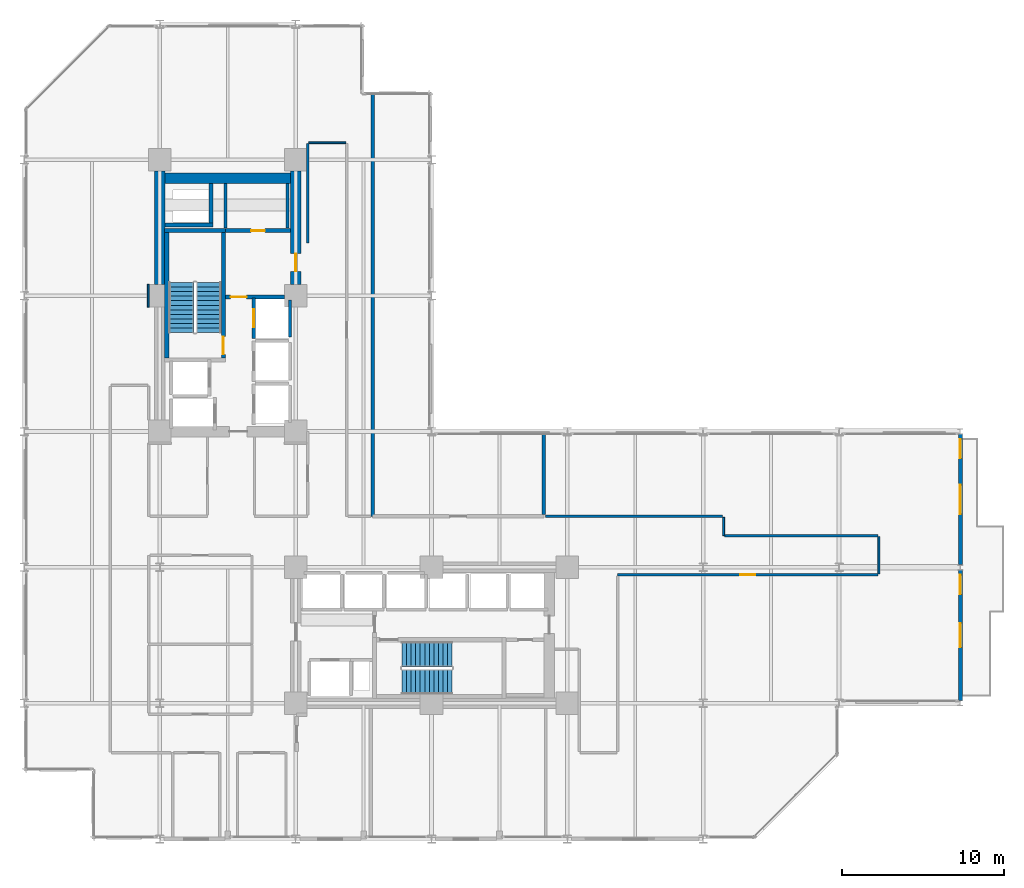
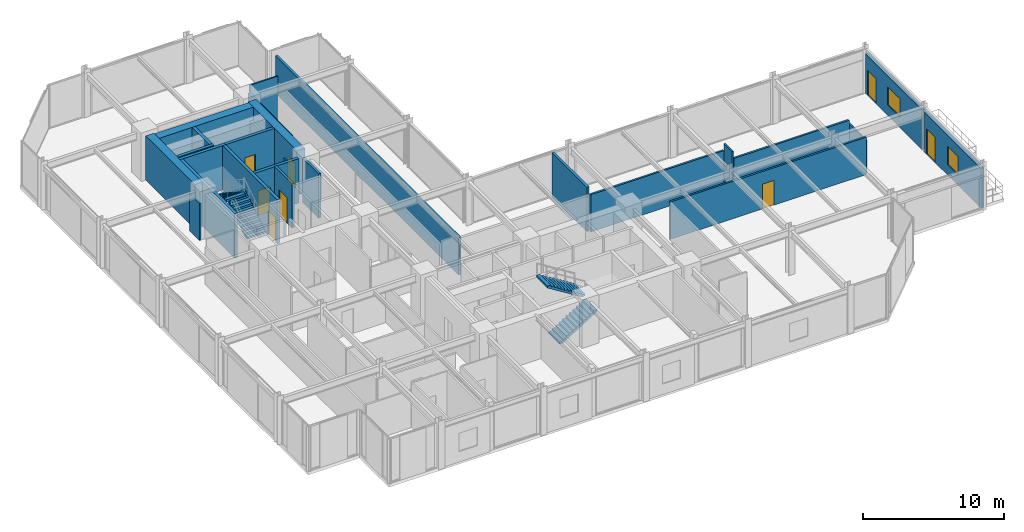
# One storey, part 23 of 26: 26 walls, 8 doors, 4 stair flights, 2 windows, 10 openings, 2 elements without a shape of their own.
"""IFC4 building model written with IfcOpenShell, lengths in metres."""

from ifc_helpers import new_model, si_unit, direction, frame, frame_2d, origin, place, context, subcontext, project, spatial, polyline, rectangle, outline, extrude, material, layer, layer_set, type_object, element, fill, aggregate, save


model = new_model("IFC4")

# Units and contexts
model_context = context("Model", 3, precision=1e-05, world=origin(), true_north=direction((0.0, 1.0)))
body_context = subcontext(model_context, "Body", "Model", "MODEL_VIEW")
ifc_project = project(units=[si_unit("LENGTHUNIT", "METRE"), si_unit("AREAUNIT", "SQUARE_METRE"), si_unit("VOLUMEUNIT", "CUBIC_METRE"), si_unit("PLANEANGLEUNIT", "RADIAN"), si_unit("MASSUNIT", "GRAM", prefix="KILO")], contexts=[model_context])

# Site, building, storey
site_placement = place(None, origin())
site = spatial("IfcSite", under=ifc_project, at=site_placement, CompositionType="ELEMENT")
building_placement = place(site_placement, origin())
building = spatial("IfcBuilding", under=site, at=building_placement, Name="Nerrivon Quay Data Exchange", CompositionType="ELEMENT")
storey_placement = place(building_placement, frame((0.0, 0.0, 75.199951171875)))
storey = spatial("IfcBuildingStorey", under=building, at=storey_placement, Name="L17", CompositionType="ELEMENT", Elevation=75.199951171875)

# Wall, openings, door, window
ifc_material_1 = material(Name="Architectural terracotta precast concrete N50 (50 MPa)", Category="masonry")
ifc_layer_1 = layer(ifc_material_1, 0.239990234375)
ifc_layer_set_1 = layer_set([ifc_layer_1], Name="Architectural terracotta precast concrete N50 (50 MPa)")
wall_type_1 = type_object("IfcWallType", Name="EW-PREC-240", PredefinedType="STANDARD", material=ifc_layer_set_1)
wall_1_placement = place(storey_placement, frame((57.89990234375, 25.03662109375, 0.0), z_axis=(0.0, 0.0, 1.0), x_axis=(0.0, -1.0, 0.0)))
wall_1 = element("IfcWall", 1, at=wall_1_placement, inside=storey, type_object=wall_type_1, Name="L17 Terrace Host Wall 1", PredefinedType="STANDARD", context=body_context, shape_type="SweptSolid", body=[
    extrude(rectangle(XDim=8.0732421875, YDim=0.239990234375, at=frame_2d((4.03662109375, 0.0))), origin(), (0.0, 0.0, 1.0), 3.447021484375),
])
opening_1_placement = place(wall_1_placement, frame((0.300048828125, 0.0, 0.0)))
opening_1 = element("IfcOpeningElement", 2, at=opening_1_placement, cuts=wall_1, Name="Opening TD1", PredefinedType="OPENING", context=body_context, shape_type="SweptSolid", body=[
    extrude(rectangle(XDim=1.199951171875, YDim=2.199951171875, at=frame_2d((0.60009765625, 1.10009765625))), frame((0.0, 0.1298828125, 0.0), z_axis=(0.0, -1.0, 0.0), x_axis=(1.0, 0.0, 0.0)), (0.0, 0.0, 1.0), 0.260009765625),
])
opening_2_placement = place(wall_1_placement, frame((3.136474609375, 0.0, 0.89990234375)))
opening_2 = element("IfcOpeningElement", 3, at=opening_2_placement, cuts=wall_1, Name="Opening WN2", PredefinedType="OPENING", context=body_context, shape_type="SweptSolid", body=[
    extrude(rectangle(XDim=1.800048828125, YDim=1.60009765625, at=frame_2d((0.89990234375, 0.800048828125))), frame((0.0, 0.1298828125, 0.0), z_axis=(0.0, -1.0, 0.0), x_axis=(1.0, 0.0, 0.0)), (0.0, 0.0, 1.0), 0.260009765625),
])
ifc_material_2 = material(Name="Double-glazed low-E solar control glass", Category="glass")
door_type_1 = type_object("IfcDoorType", Name="DR-TERR-1200x2200", OperationType="NOTDEFINED", PredefinedType="DOOR", material=ifc_material_2)
door_1_placement = place(opening_1_placement, origin())
door_1 = element("IfcDoor", 4, at=door_1_placement, inside=storey, type_object=door_type_1, Name="L17 Outdoor Terrace Access Door 1", OperationType="SINGLE_SWING_RIGHT", OverallHeight=2.199951171875, OverallWidth=1.199951171875, PredefinedType="DOOR", context=body_context, shape_type="SweptSolid", body=[
    extrude(rectangle(XDim=1.199951171875, YDim=2.199951171875, at=frame_2d((0.60009765625, 1.10009765625))), frame((0.0, 0.02490234375, 0.0), z_axis=(0.0, -1.0, 0.0), x_axis=(1.0, 0.0, 0.0)), (0.0, 0.0, 1.0), 0.050048828125),
])
fill(opening_1, door_1)
window_type_1 = type_object("IfcWindowType", Name="WIN-W2-1800x1600", PartitioningType="SINGLE_PANEL", PredefinedType="WINDOW", material=ifc_material_2)
window_1_placement = place(opening_2_placement, origin())
window_1 = element("IfcWindow", 5, at=window_1_placement, inside=storey, type_object=window_type_1, Name="L17 Terrace Side Window 1", OverallHeight=1.60009765625, OverallWidth=1.800048828125, PartitioningType="SINGLE_PANEL", PredefinedType="WINDOW", context=body_context, shape_type="SweptSolid", body=[
    extrude(rectangle(XDim=1.800048828125, YDim=1.60009765625, at=frame_2d((0.89990234375, 0.800048828125))), frame((0.0, 0.030029296875, 0.0), z_axis=(0.0, -1.0, 0.0), x_axis=(1.0, 0.0, 0.0)), (0.0, 0.0, 1.0), 0.06005859375),
])
fill(opening_2, window_1)

wall_2_placement = place(storey_placement, frame((57.89990234375, 16.636474609375, 0.0), z_axis=(0.0, 0.0, 1.0), x_axis=(0.0, -1.0, 0.0)))
wall_2 = element("IfcWall", 6, at=wall_2_placement, inside=storey, type_object=wall_type_1, Name="L17 Terrace Host Wall 2", PredefinedType="STANDARD", context=body_context, shape_type="SweptSolid", body=[
    extrude(rectangle(XDim=8.072998046875, YDim=0.239990234375, at=frame_2d((4.03662109375, 0.0))), origin(), (0.0, 0.0, 1.0), 3.447021484375),
])
opening_3_placement = place(wall_2_placement, frame((0.300048828125, 0.0, 0.0)))
opening_3 = element("IfcOpeningElement", 7, at=opening_3_placement, cuts=wall_2, Name="Opening TD1", PredefinedType="OPENING", context=body_context, shape_type="SweptSolid", body=[
    extrude(rectangle(XDim=1.199951171875, YDim=2.199951171875, at=frame_2d((0.60009765625, 1.10009765625))), frame((0.0, 0.1298828125, 0.0), z_axis=(0.0, -1.0, 0.0), x_axis=(1.0, 0.0, 0.0)), (0.0, 0.0, 1.0), 0.260009765625),
])
opening_4_placement = place(wall_2_placement, frame((3.28662109375, 0.0, 0.89990234375)))
opening_4 = element("IfcOpeningElement", 8, at=opening_4_placement, cuts=wall_2, Name="Opening WN4", PredefinedType="OPENING", context=body_context, shape_type="SweptSolid", body=[
    extrude(rectangle(XDim=1.5, YDim=1.60009765625, at=frame_2d((0.75, 0.800048828125))), frame((0.0, 0.1298828125, 0.0), z_axis=(0.0, -1.0, 0.0), x_axis=(1.0, 0.0, 0.0)), (0.0, 0.0, 1.0), 0.260009765625),
])
door_2_placement = place(opening_3_placement, origin())
door_2 = element("IfcDoor", 9, at=door_2_placement, inside=storey, type_object=door_type_1, Name="L17 Outdoor Terrace Access Door 2", OperationType="SINGLE_SWING_LEFT", OverallHeight=2.199951171875, OverallWidth=1.199951171875, PredefinedType="DOOR", context=body_context, shape_type="SweptSolid", body=[
    extrude(rectangle(XDim=1.199951171875, YDim=2.199951171875, at=frame_2d((0.60009765625, 1.10009765625))), frame((0.0, 0.02490234375, 0.0), z_axis=(0.0, -1.0, 0.0), x_axis=(1.0, 0.0, 0.0)), (0.0, 0.0, 1.0), 0.050048828125),
])
fill(opening_3, door_2)
window_type_2 = type_object("IfcWindowType", Name="WIN-W4-1500x1600", PartitioningType="SINGLE_PANEL", PredefinedType="WINDOW", material=ifc_material_2)
window_2_placement = place(opening_4_placement, origin())
window_2 = element("IfcWindow", 10, at=window_2_placement, inside=storey, type_object=window_type_2, Name="L17 Terrace Side Window 2", OverallHeight=1.60009765625, OverallWidth=1.5, PartitioningType="SINGLE_PANEL", PredefinedType="WINDOW", context=body_context, shape_type="SweptSolid", body=[
    extrude(rectangle(XDim=1.5, YDim=1.60009765625, at=frame_2d((0.75, 0.800048828125))), frame((0.0, 0.030029296875, 0.0), z_axis=(0.0, -1.0, 0.0), x_axis=(1.0, 0.0, 0.0)), (0.0, 0.0, 1.0), 0.06005859375),
])
fill(opening_4, window_2)

# Walls
ifc_material_3 = material(Name="Concrete N80 (80 MPa)", Category="concrete")
ifc_layer_2 = layer(ifc_material_3, 0.64990234375)
ifc_layer_set_2 = layer_set([ifc_layer_2], Name="Concrete N80 (80 MPa)")
wall_type_2 = type_object("IfcWallType", Name="WALL-CW-850", PredefinedType="SHEAR", material=ifc_layer_set_2)
wall_3_placement = place(storey_placement, frame((8.39990234375, 34.300048828125, 0.0), z_axis=(0.0, 0.0, 1.0), x_axis=(0.0, 1.0, 0.0)))
element("IfcWall", 11, at=wall_3_placement, inside=storey, type_object=wall_type_2, Name="L17 West Split-Core Shear Wall WCW-W2", PredefinedType="SHEAR", context=body_context, shape_type="SweptSolid", body=[
    extrude(rectangle(XDim=7.0, YDim=0.64990234375, at=frame_2d((3.5, 0.0))), origin(), (0.0, 0.0, 1.0), 3.85009765625),
])
wall_4_placement = place(storey_placement, frame((8.72509765625, 40.875, 0.0), z_axis=(0.0, 0.0, 1.0), x_axis=(1.0, 0.0, 0.0)))
element("IfcWall", 12, at=wall_4_placement, inside=storey, type_object=wall_type_2, Name="L17 West Split-Core Shear Wall WCW-N1", PredefinedType="SHEAR", context=body_context, shape_type="SweptSolid", body=[
    extrude(rectangle(XDim=7.75, YDim=0.64990234375, at=frame_2d((3.875, 0.0))), origin(), (0.0, 0.0, 1.0), 3.85009765625),
])

# Wall, opening, door
wall_5_placement = place(storey_placement, frame((16.800048828125, 34.300048828125, 0.0), z_axis=(0.0, 0.0, 1.0), x_axis=(0.0, 1.0, 0.0)))
wall_5 = element("IfcWall", 13, at=wall_5_placement, inside=storey, type_object=wall_type_2, Name="L17 West Split-Core Shear Wall WCW-E1", PredefinedType="SHEAR", context=body_context, shape_type="SweptSolid", body=[
    extrude(rectangle(XDim=7.0, YDim=0.64990234375, at=frame_2d((3.5, 0.0))), origin(), (0.0, 0.0, 1.0), 3.85009765625),
])
opening_5_placement = place(wall_5_placement, frame((0.800048828125, 0.0, 0.0)))
opening_5 = element("IfcOpeningElement", 14, at=opening_5_placement, cuts=wall_5, Name="Opening FD-120", PredefinedType="OPENING", context=body_context, shape_type="SweptSolid", body=[
    extrude(rectangle(XDim=1.10009765625, YDim=2.14990234375, at=frame_2d((0.550048828125, 1.074951171875))), frame((0.0, 0.3349609375, 0.0), z_axis=(0.0, -1.0, 0.0), x_axis=(1.0, 0.0, 0.0)), (0.0, 0.0, 1.0), 0.669921875),
])
ifc_material_4 = material(Name="Powder-coated galvanized steel sheet", Category="steel")
door_type_2 = type_object("IfcDoorType", Name="DR-FD120-1100", OperationType="NOTDEFINED", PredefinedType="DOOR", material=ifc_material_4)
door_3_placement = place(opening_5_placement, origin())
door_3 = element("IfcDoor", 15, at=door_3_placement, inside=storey, type_object=door_type_2, Name="L17 West Core Lobby Fire Door", OperationType="SINGLE_SWING_RIGHT", OverallHeight=2.14990234375, OverallWidth=1.10009765625, PredefinedType="DOOR", context=body_context, shape_type="SweptSolid", body=[
    extrude(rectangle(XDim=1.10009765625, YDim=2.14990234375, at=frame_2d((0.550048828125, 1.074951171875))), frame((0.0, 0.02490234375, 0.0), z_axis=(0.0, -1.0, 0.0), x_axis=(1.0, 0.0, 0.0)), (0.0, 0.0, 1.0), 0.050048828125),
])
fill(opening_5, door_3)

ifc_material_5 = material(Name="Gypsum plasterboard on cold-formed framing", Category="gypsum")
ifc_layer_3 = layer(ifc_material_5, 0.199951171875)
ifc_layer_set_3 = layer_set([ifc_layer_3], Name="Gypsum plasterboard on cold-formed framing")
wall_type_3 = type_object("IfcWallType", Name="WALL-FW-200", PredefinedType="PARTITIONING", material=ifc_layer_set_3)
wall_6_placement = place(storey_placement, frame((14.199951171875, 30.949951171875, 0.0), z_axis=(0.0, 0.0, 1.0), x_axis=(0.0, 1.0, 0.0)))
wall_6 = element("IfcWall", 16, at=wall_6_placement, inside=storey, type_object=wall_type_3, Name="L17 Lift Front Wall PL3", PredefinedType="PARTITIONING", context=body_context, shape_type="SweptSolid", body=[
    extrude(rectangle(XDim=2.5, YDim=0.199951171875, at=frame_2d((1.25, 0.0))), origin(), (0.0, 0.0, 1.0), 3.85009765625),
])
opening_6_placement = place(wall_6_placement, frame((0.699951171875, 0.0, 0.0)))
opening_6 = element("IfcOpeningElement", 17, at=opening_6_placement, cuts=wall_6, Name="Opening LD-120", PredefinedType="OPENING", context=body_context, shape_type="SweptSolid", body=[
    extrude(rectangle(XDim=1.10009765625, YDim=2.199951171875, at=frame_2d((0.550048828125, 1.10009765625))), frame((0.0, 0.10986328125, 0.0), z_axis=(0.0, -1.0, 0.0), x_axis=(1.0, 0.0, 0.0)), (0.0, 0.0, 1.0), 0.219970703125),
])
door_type_3 = type_object("IfcDoorType", Name="DR-LIFT-LD120", OperationType="DOUBLE_DOOR_SLIDING", PredefinedType="DOOR", material=ifc_material_4)
door_4_placement = place(opening_6_placement, origin())
door_4 = element("IfcDoor", 18, at=door_4_placement, inside=storey, type_object=door_type_3, Name="L17 Lift Landing Sliding Door PL3", OperationType="DOUBLE_DOOR_SLIDING", OverallHeight=2.199951171875, OverallWidth=1.10009765625, PredefinedType="DOOR", context=body_context, shape_type="SweptSolid", body=[
    extrude(rectangle(XDim=1.10009765625, YDim=2.199951171875, at=frame_2d((0.550048828125, 1.10009765625))), frame((0.0, 0.02490234375, 0.0), z_axis=(0.0, -1.0, 0.0), x_axis=(1.0, 0.0, 0.0)), (0.0, 0.0, 1.0), 0.050048828125),
])
fill(opening_6, door_4)

# Walls
wall_7_placement = place(storey_placement, frame((16.449951171875, 31.050048828125, 0.0), z_axis=(0.0, 0.0, 1.0), x_axis=(0.0, 1.0, 0.0)))
element("IfcWall", 19, at=wall_7_placement, inside=storey, type_object=wall_type_3, Name="L17 Lift Shaft Wall PL3 EAST", PredefinedType="PARTITIONING", context=body_context, shape_type="SweptSolid", body=[
    extrude(rectangle(XDim=2.300048828125, YDim=0.199951171875, at=frame_2d((1.14990234375, 0.0))), origin(), (0.0, 0.0, 1.0), 3.85009765625),
])
for number, where, z_axis, x_axis, name in (
    (20, (16.300048828125, 37.780029296875, 0.0), (0.0, 0.0, 1.0), (0.0, 1.0, 0.0), "L17 Partition Cleaners Store"),
    (21, (12.449951171875, 40.5458984375, 0.0), (0.0, 0.0, 1.0), (0.0, -1.0, 0.0), "L17 Partition Cleaners Store"),
):
    element("IfcWall", number, at=place(storey_placement, frame(where, z_axis=z_axis, x_axis=x_axis)), inside=storey, type_object=wall_type_3, Name=name, PredefinedType="PARTITIONING", context=body_context, shape_type="SweptSolid", body=[
        extrude(rectangle(XDim=2.765869140625, YDim=0.199951171875, at=frame_2d((1.3828125, 0.0))), origin(), (0.0, 0.0, 1.0), 2.75),
    ])
wall_8_placement = place(storey_placement, frame((21.556884765625, 46.031005859375, 0.0), z_axis=(0.0, 0.0, 1.0), x_axis=(0.0, -1.0, 0.0)))
element("IfcWall", 22, at=wall_8_placement, inside=storey, type_object=wall_type_3, Name="L17 Partition Colocation Data Workspace 2", PredefinedType="PARTITIONING", context=body_context, shape_type="SweptSolid", body=[
    extrude(rectangle(XDim=26.071044921875, YDim=0.199951171875, at=frame_2d((13.03564453125, 0.0))), origin(), (0.0, 0.0, 1.0), 3.238037109375),
])
wall_9_placement = place(storey_placement, frame((32.139892578125, 20.06396484375, 0.0), z_axis=(0.0, 0.0, 1.0), x_axis=(0.0, 1.0, 0.0)))
element("IfcWall", 23, at=wall_9_placement, inside=storey, type_object=wall_type_3, Name="L17 Partition Colocation Data Workspace 2", PredefinedType="PARTITIONING", context=body_context, shape_type="SweptSolid", body=[
    extrude(rectangle(XDim=4.967041015625, YDim=0.199951171875, at=frame_2d((2.4833984375, 0.0))), origin(), (0.0, 0.0, 1.0), 3.85009765625),
])
ifc_layer_4 = layer(ifc_material_5, 0.1201171875)
ifc_layer_set_4 = layer_set([ifc_layer_4], Name="Gypsum plasterboard on cold-formed framing")
wall_type_4 = type_object("IfcWallType", Name="WALL-PT-120", PredefinedType="PARTITIONING", material=ifc_layer_set_4)
wall_10_placement = place(storey_placement, frame((43.260009765625, 19.89990234375, 0.0), z_axis=(0.0, 0.0, 1.0), x_axis=(0.0, -1.0, 0.0)))
element("IfcWall", 24, at=wall_10_placement, inside=storey, type_object=wall_type_4, Name="L17 Partition Network Operations Office 1", PredefinedType="PARTITIONING", context=body_context, shape_type="SweptSolid", body=[
    extrude(rectangle(XDim=1.139892578125, YDim=0.1201171875, at=frame_2d((0.56982421875, 0.0))), origin(), (0.0, 0.0, 1.0), 3.85009765625),
])
wall_11_placement = place(storey_placement, frame((52.860107421875, 18.699951171875, 0.0), z_axis=(0.0, 0.0, 1.0), x_axis=(0.0, -1.0, 0.0)))
element("IfcWall", 25, at=wall_11_placement, inside=storey, type_object=wall_type_4, Name="L17 Partition Network Operations Office 1", PredefinedType="PARTITIONING", context=body_context, shape_type="SweptSolid", body=[
    extrude(rectangle(XDim=2.300048828125, YDim=0.1201171875, at=frame_2d((1.14990234375, 0.0))), origin(), (0.0, 0.0, 1.0), 2.93994140625),
])
wall_12_placement = place(storey_placement, frame((7.680908203125, 32.894287109375, 0.0), z_axis=(0.0, 0.0, 1.0), x_axis=(-0.000694685487, 0.999999758706, 0.0)))
element("IfcWall", 26, at=wall_12_placement, inside=storey, type_object=wall_type_4, Name="L17 Partition Optical Engineering Studios Workspace", PredefinedType="PARTITIONING", context=body_context, shape_type="SweptSolid", body=[
    extrude(rectangle(XDim=1.40576171875, YDim=0.1201171875, at=frame_2d((0.702880859375, 0.0))), origin(), (0.0, 0.0, 1.0), 3.238037109375),
])
wall_13_placement = place(storey_placement, frame((17.60009765625, 43.06005859375, 0.0), z_axis=(0.0, 0.0, 1.0), x_axis=(1.0, 0.0, 0.0)))
element("IfcWall", 27, at=wall_13_placement, inside=storey, type_object=wall_type_4, Name="L17 Partition Optical Engineering Studios Workspace", PredefinedType="PARTITIONING", context=body_context, shape_type="SweptSolid", body=[
    extrude(rectangle(XDim=2.2998046875, YDim=0.1201171875, at=frame_2d((1.14990234375, 0.0))), origin(), (0.0, 0.0, 1.0), 3.85009765625),
])
ifc_layer_5 = layer(ifc_material_5, 0.14990234375)
ifc_layer_set_5 = layer_set([ifc_layer_5], Name="Gypsum plasterboard on cold-formed framing")
wall_type_5 = type_object("IfcWallType", Name="WALL-PT-150", PredefinedType="PARTITIONING", material=ifc_layer_set_5)
wall_14_placement = place(storey_placement, frame((32.260009765625, 19.9599609375, 0.0), z_axis=(0.0, 0.0, 1.0), x_axis=(0.999999999751, -2.2304501e-05, 0.0)))
element("IfcWall", 28, at=wall_14_placement, inside=storey, type_object=wall_type_5, Name="L17 Partition Network Operations Office 1", PredefinedType="PARTITIONING", context=body_context, shape_type="SweptSolid", body=[
    extrude(rectangle(XDim=10.94580078125, YDim=0.14990234375, at=frame_2d((5.472900390625, 0.0))), origin(), (0.0, 0.0, 1.0), 3.248046875),
])
wall_15_placement = place(storey_placement, frame((43.323974609375, 18.760009765625, 0.0), z_axis=(0.0, 0.0, 1.0), x_axis=(1.0, 0.0, 0.0)))
element("IfcWall", 29, at=wall_15_placement, inside=storey, type_object=wall_type_5, Name="L17 Partition Network Operations Office 1", PredefinedType="PARTITIONING", context=body_context, shape_type="SweptSolid", body=[
    extrude(rectangle(XDim=9.47607421875, YDim=0.14990234375, at=frame_2d((4.738037109375, 0.0))), origin(), (0.0, 0.0, 1.0), 3.248046875),
])

# Wall, opening, door
wall_16_placement = place(storey_placement, frame((52.800048828125, 16.340087890625, 0.0), z_axis=(0.0, 0.0, 1.0), x_axis=(-1.0, 0.0, 0.0)))
wall_16 = element("IfcWall", 30, at=wall_16_placement, inside=storey, type_object=wall_type_5, Name="L17 Partition Network Operations Office 1", PredefinedType="PARTITIONING", context=body_context, shape_type="SweptSolid", body=[
    extrude(rectangle(XDim=16.090087890625, YDim=0.14990234375, at=frame_2d((8.044921875, 0.0))), origin(), (0.0, 0.0, 1.0), 3.248046875),
])
opening_7_placement = place(wall_16_placement, frame((7.570068359375, 0.0, 0.0)))
opening_7 = element("IfcOpeningElement", 31, at=opening_7_placement, cuts=wall_16, Name="Opening D-01", PredefinedType="OPENING", context=body_context, shape_type="SweptSolid", body=[
    extrude(rectangle(XDim=0.949951171875, YDim=2.14990234375, at=frame_2d((0.47509765625, 1.074951171875))), frame((0.0, 0.0849609375, 0.0), z_axis=(0.0, -1.0, 0.0), x_axis=(1.0, 0.0, 0.0)), (0.0, 0.0, 1.0), 0.169921875),
])
ifc_material_6 = material(Name="Engineered hardwood timber", Category="wood")
door_type_4 = type_object("IfcDoorType", Name="DR-INT-950", OperationType="NOTDEFINED", PredefinedType="DOOR", material=ifc_material_6)
door_5_placement = place(opening_7_placement, origin())
door_5 = element("IfcDoor", 32, at=door_5_placement, inside=storey, type_object=door_type_4, Name="L17 Door Network Operations Office 1", OperationType="SINGLE_SWING_LEFT", OverallHeight=2.14990234375, OverallWidth=0.949951171875, PredefinedType="DOOR", context=body_context, shape_type="SweptSolid", body=[
    extrude(rectangle(XDim=0.949951171875, YDim=2.14990234375, at=frame_2d((0.47509765625, 1.074951171875))), frame((0.0, 0.02490234375, 0.0), z_axis=(0.0, -1.0, 0.0), x_axis=(1.0, 0.0, 0.0)), (0.0, 0.0, 1.0), 0.050048828125),
])
fill(opening_7, door_5)

# Walls
wall_17_placement = place(storey_placement, frame((17.5400390625, 36.860107421875, 0.0), z_axis=(0.0, 0.0, 1.0), x_axis=(0.0, 1.0, 0.0)))
element("IfcWall", 33, at=wall_17_placement, inside=storey, type_object=wall_type_5, Name="L17 Partition Optical Engineering Studios Workspace", PredefinedType="PARTITIONING", context=body_context, shape_type="SweptSolid", body=[
    extrude(rectangle(XDim=6.139892578125, YDim=0.14990234375, at=frame_2d((3.06982421875, 0.0))), origin(), (0.0, 0.0, 1.0), 3.238037109375),
])
ifc_material_7 = material(Name="Concrete N50 (50 MPa)", Category="concrete")
ifc_layer_6 = layer(ifc_material_7, 0.25)
ifc_layer_set_6 = layer_set([ifc_layer_6], Name="Concrete N50 (50 MPa)")
wall_type_6 = type_object("IfcWallType", Name="WALL-SW-250", PredefinedType="SHEAR", material=ifc_layer_set_6)
wall_18_placement = place(storey_placement, frame((12.449951171875, 37.625, 0.0), z_axis=(0.0, 0.0, 1.0), x_axis=(-1.0, 0.0, 0.0)))
element("IfcWall", 34, at=wall_18_placement, inside=storey, type_object=wall_type_6, Name="L17 ST01 Structural Stair Core Wall FAR", PredefinedType="SHEAR", context=body_context, shape_type="SweptSolid", body=[
    extrude(rectangle(XDim=3.75, YDim=0.25, at=frame_2d((1.875, 0.0))), origin(), (0.0, 0.0, 1.0), 3.85009765625),
])

# Wall, opening, door
wall_19_placement = place(storey_placement, frame((12.324951171875, 29.75, 0.0), z_axis=(0.0, 0.0, 1.0), x_axis=(0.0, 1.0, 0.0)))
wall_19 = element("IfcWall", 35, at=wall_19_placement, inside=storey, type_object=wall_type_6, Name="L17 ST01 Structural Stair Core Wall LEFT", PredefinedType="SHEAR", context=body_context, shape_type="SweptSolid", body=[
    extrude(rectangle(XDim=7.75, YDim=0.25, at=frame_2d((3.875, 0.0))), origin(), (0.0, 0.0, 1.0), 3.85009765625),
])
opening_8_placement = place(wall_19_placement, frame((0.219970703125, 0.0, 0.0)))
opening_8 = element("IfcOpeningElement", 36, at=opening_8_placement, cuts=wall_19, Name="Opening FD-120", PredefinedType="OPENING", context=body_context, shape_type="SweptSolid", body=[
    extrude(rectangle(XDim=1.10009765625, YDim=2.14990234375, at=frame_2d((0.550048828125, 1.074951171875))), frame((0.0, 0.135009765625, 0.0), z_axis=(0.0, -1.0, 0.0), x_axis=(1.0, 0.0, 0.0)), (0.0, 0.0, 1.0), 0.27001953125),
])
door_6_placement = place(opening_8_placement, origin())
door_6 = element("IfcDoor", 37, at=door_6_placement, inside=storey, type_object=door_type_2, Name="L17 Protected Stair Door ST01", OperationType="SINGLE_SWING_RIGHT", OverallHeight=2.14990234375, OverallWidth=1.10009765625, PredefinedType="DOOR", context=body_context, shape_type="SweptSolid", body=[
    extrude(rectangle(XDim=1.10009765625, YDim=2.14990234375, at=frame_2d((0.550048828125, 1.074951171875))), frame((0.0, 0.02490234375, 0.0), z_axis=(0.0, -1.0, 0.0), x_axis=(1.0, 0.0, 0.0)), (0.0, 0.0, 1.0), 0.050048828125),
])
fill(opening_8, door_6)

# Walls
wall_20_placement = place(storey_placement, frame((8.824951171875, 29.75, 0.0), z_axis=(0.0, 0.0, 1.0), x_axis=(0.0, 1.0, 0.0)))
element("IfcWall", 38, at=wall_20_placement, inside=storey, type_object=wall_type_6, Name="L17 ST01 Structural Stair Core Wall RIGHT", PredefinedType="SHEAR", context=body_context, shape_type="SweptSolid", body=[
    extrude(rectangle(XDim=7.75, YDim=0.25, at=frame_2d((3.875, 0.0))), origin(), (0.0, 0.0, 1.0), 3.85009765625),
])
wall_21_placement = place(storey_placement, frame((8.72509765625, 37.97509765625, 0.0), z_axis=(0.0, 0.0, 1.0), x_axis=(1.0, 0.0, 0.0)))
element("IfcWall", 39, at=wall_21_placement, inside=storey, type_object=wall_type_6, Name="L17 West Core MEP Riser Shaft Wall S", PredefinedType="SHEAR", context=body_context, shape_type="SweptSolid", body=[
    extrude(rectangle(XDim=2.974853515625, YDim=0.25, at=frame_2d((1.4873046875, 0.0))), origin(), (0.0, 0.0, 1.0), 3.85009765625),
])
wall_22_placement = place(storey_placement, frame((11.574951171875, 38.10009765625, 0.0), z_axis=(0.0, 0.0, 1.0), x_axis=(0.0, 1.0, 0.0)))
element("IfcWall", 40, at=wall_22_placement, inside=storey, type_object=wall_type_6, Name="L17 West Core MEP Riser Shaft Wall E", PredefinedType="SHEAR", context=body_context, shape_type="SweptSolid", body=[
    extrude(rectangle(XDim=2.449951171875, YDim=0.25, at=frame_2d((1.22509765625, 0.0))), origin(), (0.0, 0.0, 1.0), 3.85009765625),
])

# Wall, opening, door
wall_23_placement = place(storey_placement, frame((12.449951171875, 33.52001953125, 0.0), z_axis=(0.0, 0.0, 1.0), x_axis=(1.0, 0.0, 0.0)))
wall_23 = element("IfcWall", 41, at=wall_23_placement, inside=storey, type_object=wall_type_6, Name="L17 West Lobby Smoke-Stop Wall", PredefinedType="SHEAR", context=body_context, shape_type="SweptSolid", body=[
    extrude(rectangle(XDim=3.650146484375, YDim=0.25, at=frame_2d((1.8251953125, 0.0))), origin(), (0.0, 0.0, 1.0), 3.85009765625),
])
opening_9_placement = place(wall_23_placement, frame((0.320068359375, 0.0, 0.0)))
opening_9 = element("IfcOpeningElement", 42, at=opening_9_placement, cuts=wall_23, Name="Opening FD-60", PredefinedType="OPENING", context=body_context, shape_type="SweptSolid", body=[
    extrude(rectangle(XDim=1.0, YDim=2.14990234375, at=frame_2d((0.5, 1.074951171875))), frame((0.0, 0.135009765625, 0.0), z_axis=(0.0, -1.0, 0.0), x_axis=(1.0, 0.0, 0.0)), (0.0, 0.0, 1.0), 0.27001953125),
])
door_type_5 = type_object("IfcDoorType", Name="DR-FD60-1000", OperationType="NOTDEFINED", PredefinedType="DOOR", material=ifc_material_6)
door_7_placement = place(opening_9_placement, origin())
door_7 = element("IfcDoor", 43, at=door_7_placement, inside=storey, type_object=door_type_5, Name="L17 West Firefighting Lobby Fire Door", OperationType="SINGLE_SWING_RIGHT", OverallHeight=2.14990234375, OverallWidth=1.0, PredefinedType="DOOR", context=body_context, shape_type="SweptSolid", body=[
    extrude(rectangle(XDim=1.0, YDim=2.14990234375, at=frame_2d((0.5, 1.074951171875))), frame((0.0, 0.02490234375, 0.0), z_axis=(0.0, -1.0, 0.0), x_axis=(1.0, 0.0, 0.0)), (0.0, 0.0, 1.0), 0.050048828125),
])
fill(opening_9, door_7)

wall_24_placement = place(storey_placement, frame((12.449951171875, 37.625, 0.0), z_axis=(0.0, 0.0, 1.0), x_axis=(1.0, 0.0, 0.0)))
wall_24 = element("IfcWall", 44, at=wall_24_placement, inside=storey, type_object=wall_type_6, Name="L17 West Firefighting Lobby Wall", PredefinedType="SHEAR", context=body_context, shape_type="SweptSolid", body=[
    extrude(rectangle(XDim=4.025146484375, YDim=0.25, at=frame_2d((2.0126953125, 0.0))), origin(), (0.0, 0.0, 1.0), 3.85009765625),
])
opening_10_placement = place(wall_24_placement, frame((1.58740234375, 0.0, 0.0)))
opening_10 = element("IfcOpeningElement", 45, at=opening_10_placement, cuts=wall_24, Name="Opening FD-60S", PredefinedType="OPENING", context=body_context, shape_type="SweptSolid", body=[
    extrude(rectangle(XDim=0.85009765625, YDim=2.14990234375, at=frame_2d((0.425048828125, 1.074951171875))), frame((0.0, 0.135009765625, 0.0), z_axis=(0.0, -1.0, 0.0), x_axis=(1.0, 0.0, 0.0)), (0.0, 0.0, 1.0), 0.27001953125),
])
door_type_6 = type_object("IfcDoorType", Name="DR-FD60-850", OperationType="NOTDEFINED", PredefinedType="DOOR", material=ifc_material_6)
door_8_placement = place(opening_10_placement, origin())
door_8 = element("IfcDoor", 46, at=door_8_placement, inside=storey, type_object=door_type_6, Name="L17 Door Cleaners Store", OperationType="SINGLE_SWING_RIGHT", OverallHeight=2.14990234375, OverallWidth=0.85009765625, PredefinedType="DOOR", context=body_context, shape_type="SweptSolid", body=[
    extrude(rectangle(XDim=0.85009765625, YDim=2.14990234375, at=frame_2d((0.425048828125, 1.074951171875))), frame((0.0, 0.02490234375, 0.0), z_axis=(0.0, -1.0, 0.0), x_axis=(1.0, 0.0, 0.0)), (0.0, 0.0, 1.0), 0.050048828125),
])
fill(opening_10, door_8)

# Stair, stair flights
stair_type = type_object("IfcStairType", Name="STAIR-DOG-42", PredefinedType="HALF_TURN_STAIR", material=ifc_material_7)
stair_1_placement = place(storey_placement, origin())
stair_1 = element("IfcStair", 47, at=stair_1_placement, inside=storey, type_object=stair_type, Name="L17 West Core Fire Stair ST01", PredefinedType="HALF_TURN_STAIR")
stair_flight_type = type_object("IfcStairFlightType", Name="FLIGHT-DOG-42", PredefinedType="STRAIGHT", material=ifc_material_7)
stair_flight_1_placement = place(storey_placement, frame((11.425048828125, 31.330078125, 0.0), z_axis=(0.0, 0.0, 1.0), x_axis=(0.0, 1.0, 0.0)))
stair_flight_1 = element("IfcStairFlight", 48, at=stair_flight_1_placement, type_object=stair_flight_type, Name="ST01 flight 1", NumberOfRisers=12, NumberOfTreads=11, PredefinedType="STRAIGHT", RiserHeight=0.175, TreadLength=0.28, context=body_context, shape_type="SweptSolid", body=[
    extrude(outline(polyline([(0.0, 0.0), (0.0, 0.175048828125), (0.280029296875, 0.175048828125), (0.280029296875, 0.35009765625), (0.56005859375, 0.35009765625), (0.56005859375, 0.52490234375), (0.840087890625, 0.52490234375), (0.840087890625, 0.699951171875), (1.1201171875, 0.699951171875), (1.1201171875, 0.875), (1.39990234375, 0.875), (1.39990234375, 1.050048828125), (1.679931640625, 1.050048828125), (1.679931640625, 1.22509765625), (1.9599609375, 1.22509765625), (1.9599609375, 1.39990234375), (2.239990234375, 1.39990234375), (2.239990234375, 1.574951171875), (2.52001953125, 1.574951171875), (2.52001953125, 1.75), (2.800048828125, 1.75), (2.800048828125, 1.925048828125), (3.080078125, 1.925048828125), (3.080078125, 2.10009765625), (3.080078125, 1.748291015625), (0.28271484375, 0.0), (0.0, 0.0)])), frame((0.0, 0.77490234375, 0.0), z_axis=(0.0, -1.0, 0.0), x_axis=(1.0, 0.0, 0.0)), (0.0, 0.0, 1.0), 1.550048828125),
])
stair_flight_2_placement = place(storey_placement, frame((9.72509765625, 34.409912109375, 2.10009765625), z_axis=(0.0, 0.0, 1.0), x_axis=(0.0, -1.0, 0.0)))
stair_flight_2 = element("IfcStairFlight", 49, at=stair_flight_2_placement, type_object=stair_flight_type, Name="ST01 flight 2", NumberOfRisers=12, NumberOfTreads=11, PredefinedType="STRAIGHT", RiserHeight=0.175, TreadLength=0.28, context=body_context, shape_type="SweptSolid", body=[
    extrude(outline(polyline([(0.0, 0.0), (0.0, 0.175048828125), (0.280029296875, 0.175048828125), (0.280029296875, 0.35009765625), (0.56005859375, 0.35009765625), (0.56005859375, 0.52490234375), (0.840087890625, 0.52490234375), (0.840087890625, 0.699951171875), (1.1201171875, 0.699951171875), (1.1201171875, 0.875), (1.39990234375, 0.875), (1.39990234375, 1.050048828125), (1.679931640625, 1.050048828125), (1.679931640625, 1.22509765625), (1.9599609375, 1.22509765625), (1.9599609375, 1.39990234375), (2.239990234375, 1.39990234375), (2.239990234375, 1.574951171875), (2.52001953125, 1.574951171875), (2.52001953125, 1.75), (2.800048828125, 1.75), (2.800048828125, 1.925048828125), (3.080078125, 1.925048828125), (3.080078125, 2.10009765625), (3.080078125, 1.748291015625), (0.28271484375, 0.0), (0.0, 0.0)])), frame((0.0, 0.77490234375, 0.0), z_axis=(0.0, -1.0, 0.0), x_axis=(1.0, 0.0, 0.0)), (0.0, 0.0, 1.0), 1.550048828125),
])
aggregate(stair_1, [stair_flight_1, stair_flight_2])

stair_2_placement = place(storey_placement, origin())
stair_2 = element("IfcStair", 50, at=stair_2_placement, inside=storey, type_object=stair_type, Name="L17 East Core Fire Stair ST02", PredefinedType="HALF_TURN_STAIR")
stair_flight_3_placement = place(storey_placement, frame((23.3798828125, 9.72509765625, 0.0), z_axis=(0.0, 0.0, 1.0), x_axis=(1.0, 0.0, 0.0)))
stair_flight_3 = element("IfcStairFlight", 51, at=stair_flight_3_placement, type_object=stair_flight_type, Name="ST02 flight 1", NumberOfRisers=12, NumberOfTreads=11, PredefinedType="STRAIGHT", RiserHeight=0.175, TreadLength=0.28, context=body_context, shape_type="SweptSolid", body=[
    extrude(outline(polyline([(0.0, 0.0), (0.0, 0.175048828125), (0.280029296875, 0.175048828125), (0.280029296875, 0.35009765625), (0.56005859375, 0.35009765625), (0.56005859375, 0.52490234375), (0.840087890625, 0.52490234375), (0.840087890625, 0.699951171875), (1.1201171875, 0.699951171875), (1.1201171875, 0.875), (1.39990234375, 0.875), (1.39990234375, 1.050048828125), (1.679931640625, 1.050048828125), (1.679931640625, 1.22509765625), (1.9599609375, 1.22509765625), (1.9599609375, 1.39990234375), (2.239990234375, 1.39990234375), (2.239990234375, 1.574951171875), (2.52001953125, 1.574951171875), (2.52001953125, 1.75), (2.800048828125, 1.75), (2.800048828125, 1.925048828125), (3.080078125, 1.925048828125), (3.080078125, 2.10009765625), (3.080078125, 1.748291015625), (0.28271484375, 0.0), (0.0, 0.0)])), frame((0.0, 0.77490234375, 0.0), z_axis=(0.0, -1.0, 0.0), x_axis=(1.0, 0.0, 0.0)), (0.0, 0.0, 1.0), 1.550048828125),
])
stair_flight_4_placement = place(storey_placement, frame((26.4599609375, 11.425048828125, 2.10009765625), z_axis=(0.0, 0.0, 1.0), x_axis=(-1.0, 0.0, 0.0)))
stair_flight_4 = element("IfcStairFlight", 52, at=stair_flight_4_placement, type_object=stair_flight_type, Name="ST02 flight 2", NumberOfRisers=12, NumberOfTreads=11, PredefinedType="STRAIGHT", RiserHeight=0.175, TreadLength=0.28, context=body_context, shape_type="SweptSolid", body=[
    extrude(outline(polyline([(0.0, 0.0), (0.0, 0.175048828125), (0.280029296875, 0.175048828125), (0.280029296875, 0.35009765625), (0.56005859375, 0.35009765625), (0.56005859375, 0.52490234375), (0.840087890625, 0.52490234375), (0.840087890625, 0.699951171875), (1.1201171875, 0.699951171875), (1.1201171875, 0.875), (1.39990234375, 0.875), (1.39990234375, 1.050048828125), (1.679931640625, 1.050048828125), (1.679931640625, 1.22509765625), (1.9599609375, 1.22509765625), (1.9599609375, 1.39990234375), (2.239990234375, 1.39990234375), (2.239990234375, 1.574951171875), (2.52001953125, 1.574951171875), (2.52001953125, 1.75), (2.800048828125, 1.75), (2.800048828125, 1.925048828125), (3.080078125, 1.925048828125), (3.080078125, 2.10009765625), (3.080078125, 1.748291015625), (0.28271484375, 0.0), (0.0, 0.0)])), frame((0.0, 0.77490234375, 0.0), z_axis=(0.0, -1.0, 0.0), x_axis=(1.0, 0.0, 0.0)), (0.0, 0.0, 1.0), 1.550048828125),
])
aggregate(stair_2, [stair_flight_3, stair_flight_4])

save(model, "model.ifc")
